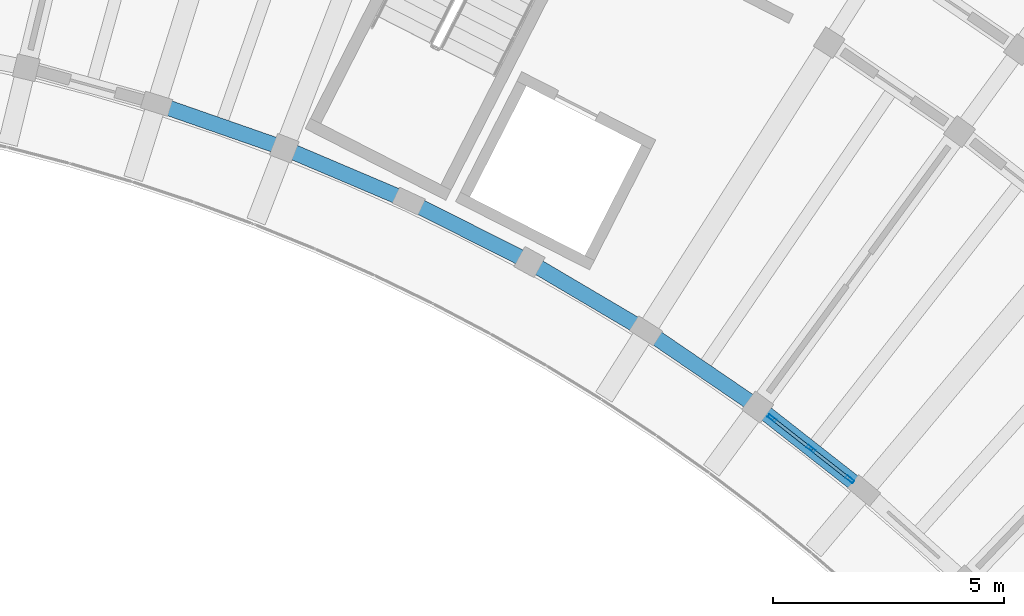
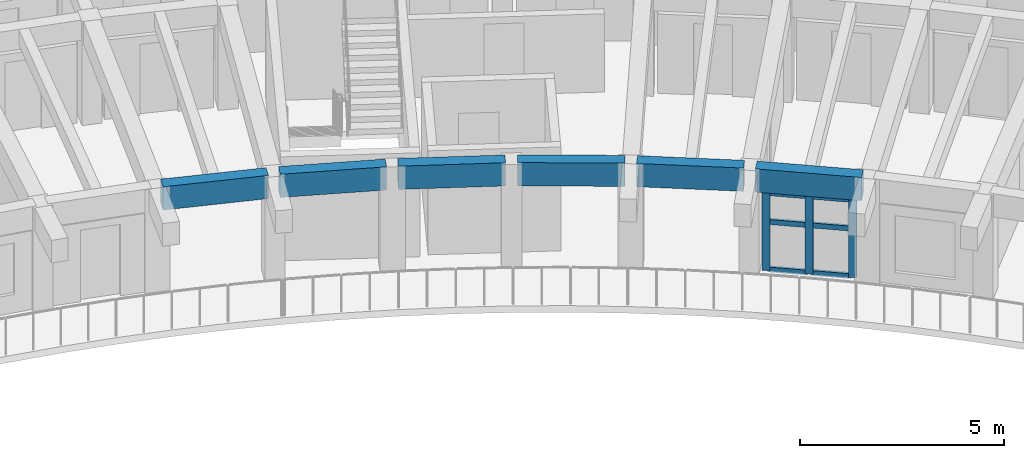
# One storey, part 26 of 83: 9 members, 6 beams, 1 element without a shape of its own.
"""IFC4 building model written with IfcOpenShell, lengths in metres."""

from ifc_helpers import new_model, si_unit, direction, frame, origin, origin_2d, place, context, subcontext, project, spatial, rectangle, hollow_rectangle, extrude, material, material_profile, profile_set, type_object, element, aggregate, save


model = new_model("IFC4")

# Units and contexts
model_context = context("Model", 3, precision=1e-05, world=origin(), true_north=direction((0.0, 1.0)))
body_context = subcontext(model_context, "Body", "Model", "MODEL_VIEW")
ifc_project = project(units=[si_unit("LENGTHUNIT", "METRE"), si_unit("AREAUNIT", "SQUARE_METRE"), si_unit("VOLUMEUNIT", "CUBIC_METRE"), si_unit("PLANEANGLEUNIT", "RADIAN"), si_unit("MASSUNIT", "GRAM", prefix="KILO")], contexts=[model_context])

# Site, building, storey
site_placement = place(None, origin())
site = spatial("IfcSite", under=ifc_project, at=site_placement, CompositionType="ELEMENT")
building_placement = place(site_placement, origin())
building = spatial("IfcBuilding", under=site, at=building_placement, Name="Tanwirah Colonnade Gardens", CompositionType="ELEMENT")
storey_placement = place(building_placement, frame((0.0, 0.0, 25.639892578125)))
storey = spatial("IfcBuildingStorey", under=building, at=storey_placement, Name="L07", CompositionType="ELEMENT", Elevation=25.639892578125)

# Curtain wall, members
ifc_material_1 = material(Name="Bronze-anodised aluminium and solar-control low-E glass", Category="aluminium")
curtain_wall_type = type_object("IfcCurtainWallType", Name="CW-GDN", PredefinedType="NOTDEFINED", material=ifc_material_1)
curtain_wall_placement = place(storey_placement, origin())
curtain_wall = element("IfcCurtainWall", 1, at=curtain_wall_placement, inside=storey, type_object=curtain_wall_type, Name="Curtain Wall CW-B-L07-IN-09", PredefinedType="NOTDEFINED")
ifc_material_2 = material(Name="Bronze-anodised aluminium", Category="aluminium")
ifc_material_profile_1 = material_profile(ifc_material_2, hollow_rectangle(XDim=0.070068359375, YDim=0.199951171875, WallThickness=0.00390625, at=origin_2d()), Name="CW-MUL 70x200x4")
ifc_profile_set_1 = profile_set([ifc_material_profile_1], Name="Bronze-anodised aluminium")
member_type_1 = type_object("IfcMemberType", Name="CWM-70x200", PredefinedType="MULLION", material=ifc_profile_set_1)
member_1_placement = place(storey_placement, frame((149.26123046875, 94.494384765625, 0.0), z_axis=(0.0, 0.0, 1.0), x_axis=(-0.617188542982, -0.786815291166, 0.0)))
member_1 = element("IfcMember", 2, at=member_1_placement, type_object=member_type_1, Name="CW-GDN mullion 1", PredefinedType="MULLION", context=body_context, shape_type="SweptSolid", body=[
    extrude(hollow_rectangle(XDim=0.070068359375, YDim=0.199951171875, WallThickness=0.00390625, at=origin_2d()), origin(), (0.0, 0.0, 1.0), 2.355224609375),
])
member_2_placement = place(storey_placement, frame((148.419189453125, 95.155029296875, 0.0), z_axis=(0.0, 0.0, 1.0), x_axis=(-0.617188542982, -0.786815291166, 0.0)))
member_2 = element("IfcMember", 3, at=member_2_placement, type_object=member_type_1, Name="CW-GDN mullion 2", PredefinedType="MULLION", context=body_context, shape_type="SweptSolid", body=[
    extrude(hollow_rectangle(XDim=0.070068359375, YDim=0.199951171875, WallThickness=0.00390625, at=origin_2d()), origin(), (0.0, 0.0, 1.0), 2.355224609375),
])
member_3_placement = place(storey_placement, frame((147.5771484375, 95.8154296875, 0.0), z_axis=(0.0, 0.0, 1.0), x_axis=(-0.617188542982, -0.786815291166, 0.0)))
member_3 = element("IfcMember", 4, at=member_3_placement, type_object=member_type_1, Name="CW-GDN mullion 3", PredefinedType="MULLION", context=body_context, shape_type="SweptSolid", body=[
    extrude(hollow_rectangle(XDim=0.070068359375, YDim=0.199951171875, WallThickness=0.00390625, at=origin_2d()), origin(), (0.0, 0.0, 1.0), 2.355224609375),
])
ifc_material_profile_2 = material_profile(ifc_material_2, hollow_rectangle(XDim=0.070068359375, YDim=0.14990234375, WallThickness=0.00390625, at=origin_2d()), Name="CW-TRN 70x150x4")
ifc_profile_set_2 = profile_set([ifc_material_profile_2], Name="Bronze-anodised aluminium")
member_type_2 = type_object("IfcMemberType", Name="CWT-70x150", PredefinedType="USERDEFINED", material=ifc_profile_set_2)
member_4_placement = place(storey_placement, frame((149.233642578125, 94.51611328125, 0.03515625), z_axis=(-0.786927781531, 0.617045109092, 0.0), x_axis=(-0.617045109092, -0.786927781531, 0.0)))
member_4 = element("IfcMember", 5, at=member_4_placement, type_object=member_type_2, Name="CW-GDN transom 1.1", ObjectType="TRANSOM", PredefinedType="USERDEFINED", context=body_context, shape_type="SweptSolid", body=[
    extrude(hollow_rectangle(XDim=0.070068359375, YDim=0.14990234375, WallThickness=0.00390625, at=origin_2d()), origin(), (0.0, 0.0, 1.0), 1.000244140625),
])
member_5_placement = place(storey_placement, frame((149.233642578125, 94.51611328125, 1.460205078125), z_axis=(-0.786927781531, 0.617045109092, 0.0), x_axis=(-0.617045109092, -0.786927781531, 0.0)))
member_5 = element("IfcMember", 6, at=member_5_placement, type_object=member_type_2, Name="CW-GDN transom 1.2", ObjectType="TRANSOM", PredefinedType="USERDEFINED", context=body_context, shape_type="SweptSolid", body=[
    extrude(hollow_rectangle(XDim=0.070068359375, YDim=0.14990234375, WallThickness=0.00390625, at=origin_2d()), origin(), (0.0, 0.0, 1.0), 1.000244140625),
])
member_6_placement = place(storey_placement, frame((149.233642578125, 94.51611328125, 2.320068359375), z_axis=(-0.786927781531, 0.617045109092, 0.0), x_axis=(-0.617045109092, -0.786927781531, 0.0)))
member_6 = element("IfcMember", 7, at=member_6_placement, type_object=member_type_2, Name="CW-GDN transom 1.3", ObjectType="TRANSOM", PredefinedType="USERDEFINED", context=body_context, shape_type="SweptSolid", body=[
    extrude(hollow_rectangle(XDim=0.070068359375, YDim=0.14990234375, WallThickness=0.00390625, at=origin_2d()), origin(), (0.0, 0.0, 1.0), 1.000244140625),
])
member_7_placement = place(storey_placement, frame((148.3916015625, 95.176513671875, 0.03515625), z_axis=(-0.786834820955, 0.617163644857, 0.0), x_axis=(-0.617163644857, -0.786834820955, 0.0)))
member_7 = element("IfcMember", 8, at=member_7_placement, type_object=member_type_2, Name="CW-GDN transom 2.1", ObjectType="TRANSOM", PredefinedType="USERDEFINED", context=body_context, shape_type="SweptSolid", body=[
    extrude(hollow_rectangle(XDim=0.070068359375, YDim=0.14990234375, WallThickness=0.00390625, at=origin_2d()), origin(), (0.0, 0.0, 1.0), 1.0),
])
member_8_placement = place(storey_placement, frame((148.3916015625, 95.176513671875, 1.460205078125), z_axis=(-0.786834820955, 0.617163644857, 0.0), x_axis=(-0.617163644857, -0.786834820955, 0.0)))
member_8 = element("IfcMember", 9, at=member_8_placement, type_object=member_type_2, Name="CW-GDN transom 2.2", ObjectType="TRANSOM", PredefinedType="USERDEFINED", context=body_context, shape_type="SweptSolid", body=[
    extrude(hollow_rectangle(XDim=0.070068359375, YDim=0.14990234375, WallThickness=0.00390625, at=origin_2d()), origin(), (0.0, 0.0, 1.0), 1.0),
])
member_9_placement = place(storey_placement, frame((148.3916015625, 95.176513671875, 2.320068359375), z_axis=(-0.786834820955, 0.617163644857, 0.0), x_axis=(-0.617163644857, -0.786834820955, 0.0)))
member_9 = element("IfcMember", 10, at=member_9_placement, type_object=member_type_2, Name="CW-GDN transom 2.3", ObjectType="TRANSOM", PredefinedType="USERDEFINED", context=body_context, shape_type="SweptSolid", body=[
    extrude(hollow_rectangle(XDim=0.070068359375, YDim=0.14990234375, WallThickness=0.00390625, at=origin_2d()), origin(), (0.0, 0.0, 1.0), 1.0),
])
aggregate(curtain_wall, [member_1, member_2, member_3, member_4, member_5, member_6, member_7, member_8, member_9])

# Beams
ifc_material_3 = material(Name="Precast concrete C40/50", Category="concrete")
ifc_material_profile_3 = material_profile(ifc_material_3, rectangle(XDim=0.3349609375, YDim=0.695068359375, at=origin_2d()), Name="PC-SP 335x695")
ifc_profile_set_3 = profile_set([ifc_material_profile_3], Name="Precast concrete C40/50")
beam_type = type_object("IfcBeamType", Name="SP-PC300", PredefinedType="SPANDREL", material=ifc_profile_set_3)
for number, where, z_axis, x_axis, name in (
    (11, (149.453857421875, 94.34326171875, 2.7626953125), (-0.786836625031, 0.617161344795, 0.0), (-0.617161344795, -0.786836625031, 0.0), "Block B L07 Circumferential Beam 9-R0"),
    (12, (147.142578125, 96.143798828125, 2.7626953125), (-0.825800981874, 0.563961646158, 0.0), (-0.563961646158, -0.825800981874, 0.0), "Block B L07 Circumferential Beam 10-R0"),
    (13, (144.717529296875, 97.7880859375, 2.7626953125), (-0.861148181788, 0.508354019363, 0.0), (-0.508354019363, -0.861148181788, 0.0), "Block B L07 Circumferential Beam 11-R0"),
    (14, (142.189453125, 99.26904296875, 2.7626953125), (-0.892769015158, 0.450514689632, 0.0), (-0.450514689632, -0.892769015158, 0.0), "Block B L07 Circumferential Beam 12-R0"),
    (15, (139.569091796875, 100.580322265625, 2.7626953125), (-0.920488719784, 0.390769134848, 0.0), (-0.390769134848, -0.920488719784, 0.0), "Block B L07 Circumferential Beam 13-R0"),
    (16, (136.8681640625, 101.716064453125, 2.7626953125), (-0.944249847334, 0.32922974624, 0.0), (-0.32922974624, -0.944249847334, 0.0), "Block B L07 Circumferential Beam 14-R0"),
):
    element("IfcBeam", number, at=place(storey_placement, frame(where, z_axis=z_axis, x_axis=x_axis)), inside=storey, type_object=beam_type, Name=name, PredefinedType="SPANDREL", context=body_context, shape_type="SweptSolid", body=[
        extrude(rectangle(XDim=0.3349609375, YDim=0.695068359375, at=origin_2d()), origin(), (0.0, 0.0, 1.0), 2.63037109375),
    ])

save(model, "model.ifc")
